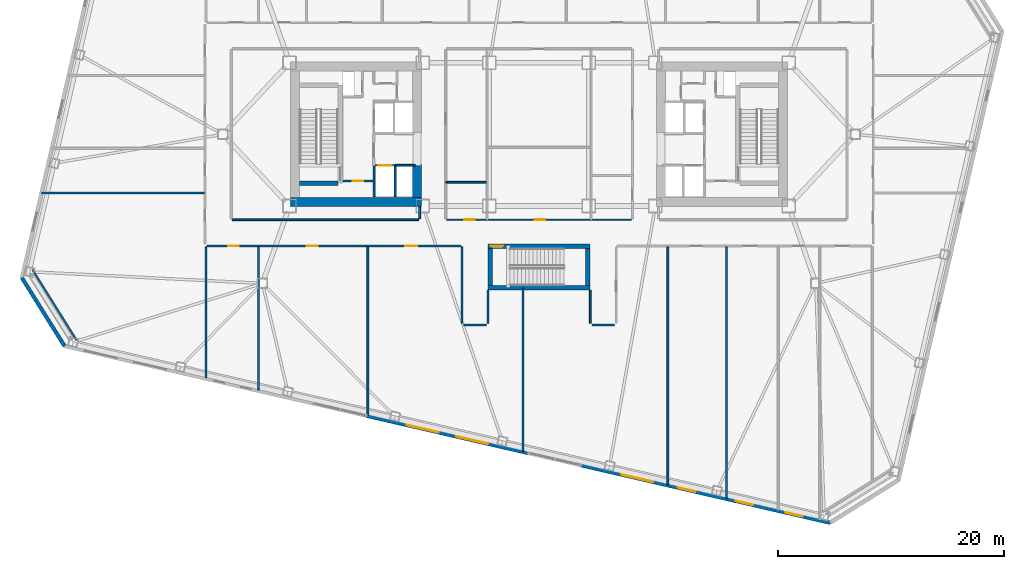
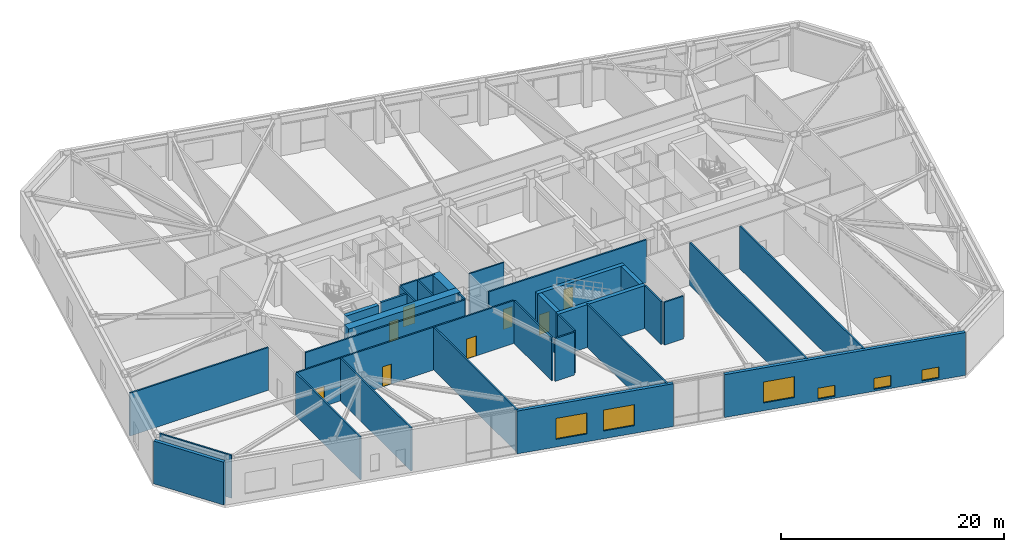
# One storey, part 10 of 21: 33 walls, 8 doors, 6 windows, 14 openings.
"""IFC4 building model written with IfcOpenShell, lengths in metres."""

from ifc_helpers import new_model, si_unit, direction, frame, frame_2d, origin, place, context, subcontext, project, spatial, rectangle, extrude, material, layer, layer_set, type_object, element, fill, save


model = new_model("IFC4")

# Units and contexts
model_context = context("Model", 3, precision=1e-05, world=origin(), true_north=direction((0.0, 1.0)))
body_context = subcontext(model_context, "Body", "Model", "MODEL_VIEW")
ifc_project = project(units=[si_unit("LENGTHUNIT", "METRE"), si_unit("AREAUNIT", "SQUARE_METRE"), si_unit("VOLUMEUNIT", "CUBIC_METRE"), si_unit("PLANEANGLEUNIT", "RADIAN"), si_unit("MASSUNIT", "GRAM", prefix="KILO")], contexts=[model_context])

# Site, building, storey
site_placement = place(None, origin())
site = spatial("IfcSite", under=ifc_project, at=site_placement, CompositionType="ELEMENT")
building_placement = place(site_placement, origin())
building = spatial("IfcBuilding", under=site, at=building_placement, Name="Tavrogorsk Clinical Tower", CompositionType="ELEMENT")
storey_placement = place(building_placement, frame((0.0, 0.0, 8.39990234375)))
storey = spatial("IfcBuildingStorey", under=building, at=storey_placement, Name="L01", CompositionType="ELEMENT", Elevation=8.39990234375)

# Wall, opening, door
ifc_material_1 = material(Name="Concrete B60", Category="concrete")
ifc_layer_1 = layer(ifc_material_1, 0.199951171875)
ifc_layer_set_1 = layer_set([ifc_layer_1], Name="Concrete B60")
wall_type_1 = type_object("IfcWallType", Name="CoreFireWall_200", PredefinedType="SOLIDWALL", material=ifc_layer_set_1)
wall_1_placement = place(storey_placement, frame((-17.3798828125, -4.139892578125, 0.0), z_axis=(0.0, 0.0, 1.0), x_axis=(1.0, 0.0, 0.0)))
wall_1 = element("IfcWall", 1, at=wall_1_placement, inside=storey, type_object=wall_type_1, Name="L01 Core West South Core Room Fire Wall", PredefinedType="SOLIDWALL", context=body_context, shape_type="SweptSolid", body=[
    extrude(rectangle(XDim=2.659912109375, YDim=0.199951171875, at=frame_2d((1.330078125, 0.0))), origin(), (0.0, 0.0, 1.0), 4.7001953125),
])
opening_1_placement = place(wall_1_placement, frame((0.8798828125, 0.0, 0.0)))
opening_1 = element("IfcOpeningElement", 2, at=opening_1_placement, cuts=wall_1, Name="Opening ID-02", PredefinedType="OPENING", context=body_context, shape_type="SweptSolid", body=[
    extrude(rectangle(XDim=0.949951171875, YDim=2.199951171875, at=frame_2d((0.47509765625, 1.10009765625))), frame((0.0, 0.10986328125, 0.0), z_axis=(0.0, -1.0, 0.0), x_axis=(1.0, 0.0, 0.0)), (0.0, 0.0, 1.0), 0.219970703125),
])
ifc_material_2 = material(Name="Laminated timber leaf on aluminium frame", Category="wood")
door_type_1 = type_object("IfcDoorType", Name="InteriorDoor_ID02_950", OperationType="NOTDEFINED", PredefinedType="DOOR", material=ifc_material_2)
door_1_placement = place(opening_1_placement, origin())
door_1 = element("IfcDoor", 3, at=door_1_placement, inside=storey, type_object=door_type_1, Name="L01 Core West South Core Room Door", OperationType="SINGLE_SWING_RIGHT", OverallHeight=2.199951171875, OverallWidth=0.949951171875, PredefinedType="DOOR", context=body_context, shape_type="SweptSolid", body=[
    extrude(rectangle(XDim=0.949951171875, YDim=2.199951171875, at=frame_2d((0.47509765625, 1.10009765625))), frame((0.0, 0.02490234375, 0.0), z_axis=(0.0, -1.0, 0.0), x_axis=(1.0, 0.0, 0.0)), (0.0, 0.0, 1.0), 0.050048828125),
])
fill(opening_1, door_1)

# Walls
ifc_material_3 = material(Name="Lightweight concrete blockwork B15", Category="masonry")
ifc_layer_2 = layer(ifc_material_3, 0.139892578125)
ifc_layer_set_2 = layer_set([ifc_layer_2], Name="Lightweight concrete blockwork B15")
wall_type_2 = type_object("IfcWallType", Name="PartitionWall_140", PredefinedType="PARTITIONING", material=ifc_layer_set_2)
wall_2_placement = place(storey_placement, frame((-8.264892578125, -4.25, 0.0), z_axis=(0.0, 0.0, 1.0), x_axis=(1.0, 0.0, 0.0)))
element("IfcWall", 4, at=wall_2_placement, inside=storey, type_object=wall_type_2, Name="L01 Central Spine Partition 4", PredefinedType="PARTITIONING", context=body_context, shape_type="SweptSolid", body=[
    extrude(rectangle(XDim=3.58984375, YDim=0.139892578125, at=frame_2d((1.794921875, 0.0))), origin(), (0.0, 0.0, 1.0), 4.7001953125),
])
ifc_material_4 = material(Name="Lightweight concrete blockwork B15", Category="masonry")
ifc_layer_3 = layer(ifc_material_4, 0.159912109375)
ifc_layer_set_3 = layer_set([ifc_layer_3], Name="Lightweight concrete blockwork B15")
wall_type_3 = type_object("IfcWallType", Name="PartitionWall_160", PredefinedType="PARTITIONING", material=ifc_layer_set_3)
wall_3_placement = place(storey_placement, frame((-44.85986328125, -11.9892578125, 0.0), z_axis=(0.0, 0.0, 1.0), x_axis=(0.52991239767, -0.848052386823, 0.0)))
element("IfcWall", 5, at=wall_3_placement, inside=storey, type_object=wall_type_3, Name="L01 Corner Exoskeleton Brace Furring Wall 4", PredefinedType="PARTITIONING", context=body_context, shape_type="SweptSolid", body=[
    extrude(rectangle(XDim=7.35400390625, YDim=0.159912109375, at=frame_2d((3.677001953125, 0.0))), origin(), (0.0, 0.0, 1.0), 4.7001953125),
])
wall_4_placement = place(storey_placement, frame((6.6650390625, -16.8798828125, 0.0), z_axis=(0.0, 0.0, 1.0), x_axis=(-1.0, 0.0, 0.0)))
element("IfcWall", 6, at=wall_4_placement, inside=storey, type_object=wall_type_3, Name="L01 Corridor Partition 06", PredefinedType="PARTITIONING", context=body_context, shape_type="SweptSolid", body=[
    extrude(rectangle(XDim=1.97998046875, YDim=0.159912109375, at=frame_2d((0.989990234375, 0.0))), origin(), (0.0, 0.0, 1.0), 4.7001953125),
])
for number, where, z_axis, x_axis, name in (
    (7, (4.52001953125, -16.715087890625, 0.0), (0.0, 0.0, 1.0), (0.0, 1.0, 0.0), "L01 Corridor Partition 07"),
    (8, (-4.52001953125, -13.800048828125, 0.0), (0.0, 0.0, 1.0), (0.0, -1.0, 0.0), "L01 Corridor Partition 08"),
):
    element("IfcWall", number, at=place(storey_placement, frame(where, z_axis=z_axis, x_axis=x_axis)), inside=storey, type_object=wall_type_3, Name=name, PredefinedType="PARTITIONING", context=body_context, shape_type="SweptSolid", body=[
        extrude(rectangle(XDim=2.9150390625, YDim=0.159912109375, at=frame_2d((1.45751953125, 0.0))), origin(), (0.0, 0.0, 1.0), 4.7001953125),
    ])
wall_5_placement = place(storey_placement, frame((-4.68505859375, -16.8798828125, 0.0), z_axis=(0.0, 0.0, 1.0), x_axis=(-1.0, 0.0, 0.0)))
element("IfcWall", 9, at=wall_5_placement, inside=storey, type_object=wall_type_3, Name="L01 Corridor Partition 09", PredefinedType="PARTITIONING", context=body_context, shape_type="SweptSolid", body=[
    extrude(rectangle(XDim=1.97998046875, YDim=0.159912109375, at=frame_2d((0.989990234375, 0.0))), origin(), (0.0, 0.0, 1.0), 4.7001953125),
])
wall_6_placement = place(storey_placement, frame((-6.830078125, -16.715087890625, 0.0), z_axis=(0.0, 0.0, 1.0), x_axis=(0.0, 1.0, 0.0)))
element("IfcWall", 10, at=wall_6_placement, inside=storey, type_object=wall_type_3, Name="L01 Corridor Partition 10", PredefinedType="PARTITIONING", context=body_context, shape_type="SweptSolid", body=[
    extrude(rectangle(XDim=6.75, YDim=0.159912109375, at=frame_2d((3.375, 0.0))), origin(), (0.0, 0.0, 1.0), 4.7001953125),
])

# Wall, openings, doors
wall_7_placement = place(storey_placement, frame((-6.9150390625, -9.8798828125, 0.0), z_axis=(0.0, 0.0, 1.0), x_axis=(-1.0, 0.0, 0.0)))
wall_7 = element("IfcWall", 11, at=wall_7_placement, inside=storey, type_object=wall_type_3, Name="L01 Corridor Partition 11", PredefinedType="PARTITIONING", context=body_context, shape_type="SweptSolid", body=[
    extrude(rectangle(XDim=22.5, YDim=0.159912109375, at=frame_2d((11.25, 0.0))), origin(), (0.0, 0.0, 1.0), 4.7001953125),
])
opening_2_placement = place(wall_7_placement, frame((19.67578125, 0.0, 0.0)))
opening_2 = element("IfcOpeningElement", 12, at=opening_2_placement, cuts=wall_7, Name="Opening ID-02", PredefinedType="OPENING", context=body_context, shape_type="SweptSolid", body=[
    extrude(rectangle(XDim=0.949951171875, YDim=2.199951171875, at=frame_2d((0.47509765625, 1.10009765625))), frame((0.0, 0.08984375, 0.0), z_axis=(0.0, -1.0, 0.0), x_axis=(1.0, 0.0, 0.0)), (0.0, 0.0, 1.0), 0.179931640625),
])
opening_3_placement = place(wall_7_placement, frame((12.699951171875, 0.0, 0.0)))
opening_3 = element("IfcOpeningElement", 13, at=opening_3_placement, cuts=wall_7, Name="Opening ID-02", PredefinedType="OPENING", context=body_context, shape_type="SweptSolid", body=[
    extrude(rectangle(XDim=0.949951171875, YDim=2.199951171875, at=frame_2d((0.47509765625, 1.10009765625))), frame((0.0, 0.08984375, 0.0), z_axis=(0.0, -1.0, 0.0), x_axis=(1.0, 0.0, 0.0)), (0.0, 0.0, 1.0), 0.179931640625),
])
opening_4_placement = place(wall_7_placement, frame((3.884033203125, 0.0, 0.0)))
opening_4 = element("IfcOpeningElement", 14, at=opening_4_placement, cuts=wall_7, Name="Opening ID-04", PredefinedType="OPENING", context=body_context, shape_type="SweptSolid", body=[
    extrude(rectangle(XDim=1.050048828125, YDim=2.199951171875, at=frame_2d((0.52490234375, 1.10009765625))), frame((0.0, 0.08984375, 0.0), z_axis=(0.0, -1.0, 0.0), x_axis=(1.0, 0.0, 0.0)), (0.0, 0.0, 1.0), 0.179931640625),
])
ifc_material_5 = material(Name="Antibacterial HPL consultation door on aluminium frame", Category="aluminium")
door_type_2 = type_object("IfcDoorType", Name="ConsultDoor_ID04_1050", OperationType="NOTDEFINED", PredefinedType="DOOR", material=ifc_material_5)
door_2_placement = place(opening_4_placement, origin())
door_2 = element("IfcDoor", 15, at=door_2_placement, inside=storey, type_object=door_type_2, Name="L01 South Patient Imaging Waiting Lounge 03A Door", OperationType="SINGLE_SWING_RIGHT", OverallHeight=2.199951171875, OverallWidth=1.050048828125, PredefinedType="DOOR", context=body_context, shape_type="SweptSolid", body=[
    extrude(rectangle(XDim=1.050048828125, YDim=2.199951171875, at=frame_2d((0.52490234375, 1.10009765625))), frame((0.0, 0.02490234375, 0.0), z_axis=(0.0, -1.0, 0.0), x_axis=(1.0, 0.0, 0.0)), (0.0, 0.0, 1.0), 0.050048828125),
])
fill(opening_4, door_2)
door_3_placement = place(opening_2_placement, origin())
door_3 = element("IfcDoor", 16, at=door_3_placement, inside=storey, type_object=door_type_1, Name="L01 South Clinical Case Seminar Room 01 Door", OperationType="SINGLE_SWING_RIGHT", OverallHeight=2.199951171875, OverallWidth=0.949951171875, PredefinedType="DOOR", context=body_context, shape_type="SweptSolid", body=[
    extrude(rectangle(XDim=0.949951171875, YDim=2.199951171875, at=frame_2d((0.47509765625, 1.10009765625))), frame((0.0, 0.02490234375, 0.0), z_axis=(0.0, -1.0, 0.0), x_axis=(1.0, 0.0, 0.0)), (0.0, 0.0, 1.0), 0.050048828125),
])
fill(opening_2, door_3)
door_4_placement = place(opening_3_placement, origin())
door_4 = element("IfcDoor", 17, at=door_4_placement, inside=storey, type_object=door_type_1, Name="L01 South Interventional Radiology Suite 02 Door", OperationType="SINGLE_SWING_LEFT", OverallHeight=2.199951171875, OverallWidth=0.949951171875, PredefinedType="DOOR", context=body_context, shape_type="SweptSolid", body=[
    extrude(rectangle(XDim=0.949951171875, YDim=2.199951171875, at=frame_2d((0.47509765625, 1.10009765625))), frame((0.0, 0.02490234375, 0.0), z_axis=(0.0, -1.0, 0.0), x_axis=(1.0, 0.0, 0.0)), (0.0, 0.0, 1.0), 0.050048828125),
])
fill(opening_3, door_4)

wall_8_placement = place(storey_placement, frame((-8.18505859375, -7.570068359375, 0.0), z_axis=(0.0, 0.0, 1.0), x_axis=(1.0, 0.0, 0.0)))
wall_8 = element("IfcWall", 18, at=wall_8_placement, inside=storey, type_object=wall_type_3, Name="L01 Corridor Partition 19", PredefinedType="PARTITIONING", context=body_context, shape_type="SweptSolid", body=[
    extrude(rectangle(XDim=16.3701171875, YDim=0.159912109375, at=frame_2d((8.18505859375, 0.0))), origin(), (0.0, 0.0, 1.0), 4.7001953125),
])
opening_5_placement = place(wall_8_placement, frame((1.55419921875, 0.0, 0.0)))
opening_5 = element("IfcOpeningElement", 19, at=opening_5_placement, cuts=wall_8, Name="Opening ID-02", PredefinedType="OPENING", context=body_context, shape_type="SweptSolid", body=[
    extrude(rectangle(XDim=0.949951171875, YDim=2.199951171875, at=frame_2d((0.47509765625, 1.10009765625))), frame((0.0, 0.08984375, 0.0), z_axis=(0.0, -1.0, 0.0), x_axis=(1.0, 0.0, 0.0)), (0.0, 0.0, 1.0), 0.179931640625),
])
opening_6_placement = place(wall_8_placement, frame((7.794921875, 0.0, 0.0)))
opening_6 = element("IfcOpeningElement", 20, at=opening_6_placement, cuts=wall_8, Name="Opening ID-02", PredefinedType="OPENING", context=body_context, shape_type="SweptSolid", body=[
    extrude(rectangle(XDim=0.949951171875, YDim=2.199951171875, at=frame_2d((0.47509765625, 1.10009765625))), frame((0.0, 0.08984375, 0.0), z_axis=(0.0, -1.0, 0.0), x_axis=(1.0, 0.0, 0.0)), (0.0, 0.0, 1.0), 0.179931640625),
])
door_5_placement = place(opening_5_placement, origin())
door_5 = element("IfcDoor", 21, at=door_5_placement, inside=storey, type_object=door_type_1, Name="L01 Accessible Patient Lavatory Door", OperationType="SINGLE_SWING_RIGHT", OverallHeight=2.199951171875, OverallWidth=0.949951171875, PredefinedType="DOOR", context=body_context, shape_type="SweptSolid", body=[
    extrude(rectangle(XDim=0.949951171875, YDim=2.199951171875, at=frame_2d((0.47509765625, 1.10009765625))), frame((0.0, 0.02490234375, 0.0), z_axis=(0.0, -1.0, 0.0), x_axis=(1.0, 0.0, 0.0)), (0.0, 0.0, 1.0), 0.050048828125),
])
fill(opening_5, door_5)
door_6_placement = place(opening_6_placement, origin())
door_6 = element("IfcDoor", 22, at=door_6_placement, inside=storey, type_object=door_type_1, Name="L01 Multidisciplinary Conference Room Door", OperationType="SINGLE_SWING_RIGHT", OverallHeight=2.199951171875, OverallWidth=0.949951171875, PredefinedType="DOOR", context=body_context, shape_type="SweptSolid", body=[
    extrude(rectangle(XDim=0.949951171875, YDim=2.199951171875, at=frame_2d((0.47509765625, 1.10009765625))), frame((0.0, 0.02490234375, 0.0), z_axis=(0.0, -1.0, 0.0), x_axis=(1.0, 0.0, 0.0)), (0.0, 0.0, 1.0), 0.050048828125),
])
fill(opening_6, door_6)

# Walls
wall_9_placement = place(storey_placement, frame((-10.580078125, -7.485107421875, 0.0), z_axis=(0.0, 0.0, 1.0), x_axis=(0.0, 1.0, 0.0)))
element("IfcWall", 23, at=wall_9_placement, inside=storey, type_object=wall_type_3, Name="L01 Corridor Partition 21", PredefinedType="PARTITIONING", context=body_context, shape_type="SweptSolid", body=[
    extrude(rectangle(XDim=1.065185546875, YDim=0.159912109375, at=frame_2d((0.53271484375, 0.0))), origin(), (0.0, 0.0, 1.0), 4.7001953125),
])
wall_10_placement = place(storey_placement, frame((-27.18505859375, -7.570068359375, 0.0), z_axis=(0.0, 0.0, 1.0), x_axis=(1.0, 0.0, 0.0)))
element("IfcWall", 24, at=wall_10_placement, inside=storey, type_object=wall_type_3, Name="L01 Corridor Partition 25", PredefinedType="PARTITIONING", context=body_context, shape_type="SweptSolid", body=[
    extrude(rectangle(XDim=16.52001953125, YDim=0.159912109375, at=frame_2d((8.260009765625, 0.0))), origin(), (0.0, 0.0, 1.0), 4.7001953125),
])
wall_11_placement = place(storey_placement, frame((-29.5, -21.570556640625, 0.0), z_axis=(0.0, 0.0, 1.0), x_axis=(0.0, 1.0, 0.0)))
element("IfcWall", 25, at=wall_11_placement, inside=storey, type_object=wall_type_3, Name="L01 SW Wing Closure Partition", PredefinedType="PARTITIONING", context=body_context, shape_type="SweptSolid", body=[
    extrude(rectangle(XDim=11.60546875, YDim=0.159912109375, at=frame_2d((5.802734375, 0.0))), origin(), (0.0, 0.0, 1.0), 4.7001953125),
])
wall_12_placement = place(storey_placement, frame((-24.85009765625, -22.64404296875, 0.0), z_axis=(0.0, 0.0, 1.0), x_axis=(0.0, 1.0, 0.0)))
element("IfcWall", 26, at=wall_12_placement, inside=storey, type_object=wall_type_3, Name="L01 South Room Partition 1", PredefinedType="PARTITIONING", context=body_context, shape_type="SweptSolid", body=[
    extrude(rectangle(XDim=12.678955078125, YDim=0.159912109375, at=frame_2d((6.33935546875, 0.0))), origin(), (0.0, 0.0, 1.0), 4.7001953125),
])
wall_13_placement = place(storey_placement, frame((-15.159912109375, -24.881103515625, 0.0), z_axis=(0.0, 0.0, 1.0), x_axis=(0.0, 1.0, 0.0)))
element("IfcWall", 27, at=wall_13_placement, inside=storey, type_object=wall_type_3, Name="L01 South Room Partition 2", PredefinedType="PARTITIONING", context=body_context, shape_type="SweptSolid", body=[
    extrude(rectangle(XDim=14.916015625, YDim=0.159912109375, at=frame_2d((7.4580078125, 0.0))), origin(), (0.0, 0.0, 1.0), 4.7001953125),
])
wall_14_placement = place(storey_placement, frame((11.39990234375, -31.01318359375, 0.0), z_axis=(0.0, 0.0, 1.0), x_axis=(0.0, 1.0, 0.0)))
element("IfcWall", 28, at=wall_14_placement, inside=storey, type_object=wall_type_3, Name="L01 South Room Partition 3", PredefinedType="PARTITIONING", context=body_context, shape_type="SweptSolid", body=[
    extrude(rectangle(XDim=21.048095703125, YDim=0.159912109375, at=frame_2d((10.52392578125, 0.0))), origin(), (0.0, 0.0, 1.0), 4.7001953125),
])
wall_15_placement = place(storey_placement, frame((16.60009765625, -32.213623046875, 0.0), z_axis=(0.0, 0.0, 1.0), x_axis=(0.0, 1.0, 0.0)))
element("IfcWall", 29, at=wall_15_placement, inside=storey, type_object=wall_type_3, Name="L01 South Room Partition 4", PredefinedType="PARTITIONING", context=body_context, shape_type="SweptSolid", body=[
    extrude(rectangle(XDim=22.24853515625, YDim=0.159912109375, at=frame_2d((11.124267578125, 0.0))), origin(), (0.0, 0.0, 1.0), 4.7001953125),
])
wall_16_placement = place(storey_placement, frame((-1.429931640625, -28.051025390625, 0.0), z_axis=(0.0, 0.0, 1.0), x_axis=(0.0, 1.0, 0.0)))
element("IfcWall", 30, at=wall_16_placement, inside=storey, type_object=wall_type_3, Name="L01 South Sub-Partition 3", PredefinedType="PARTITIONING", context=body_context, shape_type="SweptSolid", body=[
    extrude(rectangle(XDim=14.4111328125, YDim=0.159912109375, at=frame_2d((7.20556640625, 0.0))), origin(), (0.0, 0.0, 1.0), 4.7001953125),
])
wall_17_placement = place(storey_placement, frame((-44.0419921875, -5.199951171875, 0.0), z_axis=(0.0, 0.0, 1.0), x_axis=(1.0, 0.0, 0.0)))
element("IfcWall", 31, at=wall_17_placement, inside=storey, type_object=wall_type_3, Name="L01 W Wing Divider 1", PredefinedType="PARTITIONING", context=body_context, shape_type="SweptSolid", body=[
    extrude(rectangle(XDim=14.376953125, YDim=0.159912109375, at=frame_2d((7.1884765625, 0.0))), origin(), (0.0, 0.0, 1.0), 4.7001953125),
])

# Wall, openings, windows
ifc_material_6 = material(Name="Precast concrete B45 with limestone cladding", Category="masonry")
ifc_layer_4 = layer(ifc_material_6, 0.340087890625)
ifc_layer_set_4 = layer_set([ifc_layer_4], Name="Precast concrete B45 with limestone cladding")
wall_type_4 = type_object("IfcWallType", Name="PrecastLimestoneWall_340", PredefinedType="STANDARD", material=ifc_layer_set_4)
wall_18_placement = place(storey_placement, frame((-15.28076171875, -24.925048828125, 0.0), z_axis=(0.0, 0.0, 1.0), x_axis=(0.974370193991, -0.22495049469, 0.0)))
wall_18 = element("IfcWall", 32, at=wall_18_placement, inside=storey, type_object=wall_type_4, Name="L01 S Limestone Facade Wall 2", PredefinedType="STANDARD", context=body_context, shape_type="SweptSolid", body=[
    extrude(rectangle(XDim=14.697265625, YDim=0.340087890625, at=frame_2d((7.3486328125, 0.0))), origin(), (0.0, 0.0, 1.0), 4.7001953125),
])
opening_7_placement = place(wall_18_placement, frame((3.656494140625, 0.0, 0.85009765625)))
opening_7 = element("IfcOpeningElement", 33, at=opening_7_placement, cuts=wall_18, Name="Opening WN-10", PredefinedType="OPENING", context=body_context, shape_type="SweptSolid", body=[
    extrude(rectangle(XDim=2.89990234375, YDim=2.300048828125, at=frame_2d((1.449951171875, 1.14990234375))), frame((0.0, 0.179931640625, 0.0), z_axis=(0.0, -1.0, 0.0), x_axis=(1.0, 0.0, 0.0)), (0.0, 0.0, 1.0), 0.360107421875),
])
opening_8_placement = place(wall_18_placement, frame((8.140869140625, 0.0, 0.85009765625)))
opening_8 = element("IfcOpeningElement", 34, at=opening_8_placement, cuts=wall_18, Name="Opening WN-10", PredefinedType="OPENING", context=body_context, shape_type="SweptSolid", body=[
    extrude(rectangle(XDim=2.89990234375, YDim=2.300048828125, at=frame_2d((1.449951171875, 1.14990234375))), frame((0.0, 0.179931640625, 0.0), z_axis=(0.0, -1.0, 0.0), x_axis=(1.0, 0.0, 0.0)), (0.0, 0.0, 1.0), 0.360107421875),
])
ifc_material_7 = material(Name="Thermally broken aluminium frame and triple IGU", Category="aluminium")
window_type_1 = type_object("IfcWindowType", Name="DiagnosticWin_2900x2300", PartitioningType="TRIPLE_PANEL_HORIZONTAL", PredefinedType="WINDOW", material=ifc_material_7)
window_1_placement = place(opening_7_placement, origin())
window_1 = element("IfcWindow", 35, at=window_1_placement, inside=storey, type_object=window_type_1, Name="L01 S Chicago Window 05", OverallHeight=2.300048828125, OverallWidth=2.89990234375, PartitioningType="SINGLE_PANEL", PredefinedType="WINDOW", context=body_context, shape_type="SweptSolid", body=[
    extrude(rectangle(XDim=2.89990234375, YDim=2.300048828125, at=frame_2d((1.449951171875, 1.14990234375))), frame((0.0, 0.030029296875, 0.0), z_axis=(0.0, -1.0, 0.0), x_axis=(1.0, 0.0, 0.0)), (0.0, 0.0, 1.0), 0.06005859375),
])
fill(opening_7, window_1)
window_2_placement = place(opening_8_placement, origin())
window_2 = element("IfcWindow", 36, at=window_2_placement, inside=storey, type_object=window_type_1, Name="L01 S Chicago Window 06", OverallHeight=2.300048828125, OverallWidth=2.89990234375, PartitioningType="SINGLE_PANEL", PredefinedType="WINDOW", context=body_context, shape_type="SweptSolid", body=[
    extrude(rectangle(XDim=2.89990234375, YDim=2.300048828125, at=frame_2d((1.449951171875, 1.14990234375))), frame((0.0, 0.030029296875, 0.0), z_axis=(0.0, -1.0, 0.0), x_axis=(1.0, 0.0, 0.0)), (0.0, 0.0, 1.0), 0.06005859375),
])
fill(opening_8, window_2)

wall_19_placement = place(storey_placement, frame((3.716796875, -29.31103515625, 0.0), z_axis=(0.0, 0.0, 1.0), x_axis=(0.97436993772, -0.224951604723, 0.0)))
wall_19 = element("IfcWall", 37, at=wall_19_placement, inside=storey, type_object=wall_type_4, Name="L01 S Limestone Facade Wall 3", PredefinedType="STANDARD", context=body_context, shape_type="SweptSolid", body=[
    extrude(rectangle(XDim=22.6513671875, YDim=0.340087890625, at=frame_2d((11.32568359375, 0.0))), origin(), (0.0, 0.0, 1.0), 4.7001953125),
])
opening_9_placement = place(wall_19_placement, frame((3.656494140625, 0.0, 0.85009765625)))
opening_9 = element("IfcOpeningElement", 38, at=opening_9_placement, cuts=wall_19, Name="Opening WN-10", PredefinedType="OPENING", context=body_context, shape_type="SweptSolid", body=[
    extrude(rectangle(XDim=2.89990234375, YDim=2.300048828125, at=frame_2d((1.449951171875, 1.14990234375))), frame((0.0, 0.179931640625, 0.0), z_axis=(0.0, -1.0, 0.0), x_axis=(1.0, 0.0, 0.0)), (0.0, 0.0, 1.0), 0.360107421875),
])
opening_10_placement = place(wall_19_placement, frame((8.790771484375, 0.0, 0.219970703125)))
opening_10 = element("IfcOpeningElement", 39, at=opening_10_placement, cuts=wall_19, Name="Opening WN-09", PredefinedType="OPENING", context=body_context, shape_type="SweptSolid", body=[
    extrude(rectangle(XDim=1.60009765625, YDim=1.199951171875, at=frame_2d((0.800048828125, 0.60009765625))), frame((0.0, 0.179931640625, 0.0), z_axis=(0.0, -1.0, 0.0), x_axis=(1.0, 0.0, 0.0)), (0.0, 0.0, 1.0), 0.360107421875),
])
opening_11_placement = place(wall_19_placement, frame((14.054931640625, 0.0, 0.219970703125)))
opening_11 = element("IfcOpeningElement", 40, at=opening_11_placement, cuts=wall_19, Name="Opening WN-09", PredefinedType="OPENING", context=body_context, shape_type="SweptSolid", body=[
    extrude(rectangle(XDim=1.60009765625, YDim=1.199951171875, at=frame_2d((0.800048828125, 0.60009765625))), frame((0.0, 0.179931640625, 0.0), z_axis=(0.0, -1.0, 0.0), x_axis=(1.0, 0.0, 0.0)), (0.0, 0.0, 1.0), 0.360107421875),
])
opening_12_placement = place(wall_19_placement, frame((18.539306640625, 0.0, 0.219970703125)))
opening_12 = element("IfcOpeningElement", 41, at=opening_12_placement, cuts=wall_19, Name="Opening WN-09", PredefinedType="OPENING", context=body_context, shape_type="SweptSolid", body=[
    extrude(rectangle(XDim=1.60009765625, YDim=1.199951171875, at=frame_2d((0.800048828125, 0.60009765625))), frame((0.0, 0.179931640625, 0.0), z_axis=(0.0, -1.0, 0.0), x_axis=(1.0, 0.0, 0.0)), (0.0, 0.0, 1.0), 0.360107421875),
])
window_3_placement = place(opening_9_placement, origin())
window_3 = element("IfcWindow", 42, at=window_3_placement, inside=storey, type_object=window_type_1, Name="L01 S Chicago Window 07", OverallHeight=2.300048828125, OverallWidth=2.89990234375, PartitioningType="SINGLE_PANEL", PredefinedType="WINDOW", context=body_context, shape_type="SweptSolid", body=[
    extrude(rectangle(XDim=2.89990234375, YDim=2.300048828125, at=frame_2d((1.449951171875, 1.14990234375))), frame((0.0, 0.030029296875, 0.0), z_axis=(0.0, -1.0, 0.0), x_axis=(1.0, 0.0, 0.0)), (0.0, 0.0, 1.0), 0.06005859375),
])
fill(opening_9, window_3)
ifc_material_8 = material(Name="Thermally broken aluminium frame and triple IGU", Category="aluminium")
window_type_2 = type_object("IfcWindowType", Name="LowHeadTransWin_1600x1200", PartitioningType="DOUBLE_PANEL_VERTICAL", PredefinedType="WINDOW", material=ifc_material_8)
window_4_placement = place(opening_10_placement, origin())
window_4 = element("IfcWindow", 43, at=window_4_placement, inside=storey, type_object=window_type_2, Name="L01 S Chicago Window 08", OverallHeight=1.199951171875, OverallWidth=1.60009765625, PartitioningType="SINGLE_PANEL", PredefinedType="WINDOW", context=body_context, shape_type="SweptSolid", body=[
    extrude(rectangle(XDim=1.60009765625, YDim=1.199951171875, at=frame_2d((0.800048828125, 0.60009765625))), frame((0.0, 0.030029296875, 0.0), z_axis=(0.0, -1.0, 0.0), x_axis=(1.0, 0.0, 0.0)), (0.0, 0.0, 1.0), 0.06005859375),
])
fill(opening_10, window_4)
window_5_placement = place(opening_11_placement, origin())
window_5 = element("IfcWindow", 44, at=window_5_placement, inside=storey, type_object=window_type_2, Name="L01 S Chicago Window 09", OverallHeight=1.199951171875, OverallWidth=1.60009765625, PartitioningType="SINGLE_PANEL", PredefinedType="WINDOW", context=body_context, shape_type="SweptSolid", body=[
    extrude(rectangle(XDim=1.60009765625, YDim=1.199951171875, at=frame_2d((0.800048828125, 0.60009765625))), frame((0.0, 0.030029296875, 0.0), z_axis=(0.0, -1.0, 0.0), x_axis=(1.0, 0.0, 0.0)), (0.0, 0.0, 1.0), 0.06005859375),
])
fill(opening_11, window_5)
window_6_placement = place(opening_12_placement, origin())
window_6 = element("IfcWindow", 45, at=window_6_placement, inside=storey, type_object=window_type_2, Name="L01 S Chicago Window 10", OverallHeight=1.199951171875, OverallWidth=1.60009765625, PartitioningType="SINGLE_PANEL", PredefinedType="WINDOW", context=body_context, shape_type="SweptSolid", body=[
    extrude(rectangle(XDim=1.60009765625, YDim=1.199951171875, at=frame_2d((0.800048828125, 0.60009765625))), frame((0.0, 0.030029296875, 0.0), z_axis=(0.0, -1.0, 0.0), x_axis=(1.0, 0.0, 0.0)), (0.0, 0.0, 1.0), 0.06005859375),
])
fill(opening_12, window_6)

# Wall
wall_20_placement = place(storey_placement, frame((-45.798095703125, -12.71728515625, 0.0), z_axis=(0.0, 0.0, 1.0), x_axis=(0.529906387556, -0.848056142261, 0.0)))
element("IfcWall", 46, at=wall_20_placement, inside=storey, type_object=wall_type_4, Name="L01 Chamfered Corner Wall 4", PredefinedType="STANDARD", context=body_context, shape_type="SweptSolid", body=[
    extrude(rectangle(XDim=7.113525390625, YDim=0.340087890625, at=frame_2d((3.556640625, 0.0))), origin(), (0.0, 0.0, 1.0), 4.7001953125),
])

# Wall, opening, door
ifc_material_9 = material(Name="Lightweight concrete blockwork B25", Category="masonry")
ifc_layer_5 = layer(ifc_material_9, 0.159912109375)
ifc_layer_set_5 = layer_set([ifc_layer_5], Name="Lightweight concrete blockwork B25")
wall_type_5 = type_object("IfcWallType", Name="ShaftWall_160", PredefinedType="PARTITIONING", material=ifc_layer_set_5)
wall_21_placement = place(storey_placement, frame((-14.530029296875, -2.75, 0.0), z_axis=(0.0, 0.0, 1.0), x_axis=(1.0, 0.0, 0.0)))
wall_21 = element("IfcWall", 47, at=wall_21_placement, inside=storey, type_object=wall_type_5, Name="L01 LP-L1 Lift Shaft Portal Wall", PredefinedType="PARTITIONING", context=body_context, shape_type="SweptSolid", body=[
    extrude(rectangle(XDim=1.760009765625, YDim=0.159912109375, at=frame_2d((0.8798828125, 0.0))), origin(), (0.0, 0.0, 1.0), 4.7001953125),
])
opening_13_placement = place(wall_21_placement, frame((0.280029296875, 0.0, 0.0)))
opening_13 = element("IfcOpeningElement", 48, at=opening_13_placement, cuts=wall_21, Name="Opening LD", PredefinedType="OPENING", context=body_context, shape_type="SweptSolid", body=[
    extrude(rectangle(XDim=1.199951171875, YDim=2.199951171875, at=frame_2d((0.60009765625, 1.10009765625))), frame((0.0, 0.08984375, 0.0), z_axis=(0.0, -1.0, 0.0), x_axis=(1.0, 0.0, 0.0)), (0.0, 0.0, 1.0), 0.179931640625),
])
ifc_material_10 = material(Name="Brushed stainless steel AISI 304 sliding doors", Category="steel")
door_type_3 = type_object("IfcDoorType", Name="LiftLandingDoor_LD_1200", OperationType="SLIDING_TO_LEFT", PredefinedType="DOOR", material=ifc_material_10)
door_7_placement = place(opening_13_placement, origin())
door_7 = element("IfcDoor", 49, at=door_7_placement, inside=storey, type_object=door_type_3, Name="L01 LP-L1 Sliding Lift Landing Door", OperationType="SLIDING_TO_LEFT", OverallHeight=2.199951171875, OverallWidth=1.199951171875, PredefinedType="DOOR", context=body_context, shape_type="SweptSolid", body=[
    extrude(rectangle(XDim=1.199951171875, YDim=2.199951171875, at=frame_2d((0.60009765625, 1.10009765625))), frame((0.0, 0.02490234375, 0.0), z_axis=(0.0, -1.0, 0.0), x_axis=(1.0, 0.0, 0.0)), (0.0, 0.0, 1.0), 0.050048828125),
])
fill(opening_13, door_7)

# Walls
for number, where, z_axis, x_axis, name in (
    (50, (-12.75, -5.5400390625, 0.0), (0.0, 0.0, 1.0), (0.0, 1.0, 0.0), "L01 LP-L1 Lift Hoistway Divider Wall"),
    (51, (-14.610107421875, -5.5400390625, 0.0), (0.0, 0.0, 1.0), (0.0, 1.0, 0.0), "L01 LP-L1 Lift Hoistway Outer Cheek Wall"),
):
    element("IfcWall", number, at=place(storey_placement, frame(where, z_axis=z_axis, x_axis=x_axis)), inside=storey, type_object=wall_type_5, Name=name, PredefinedType="PARTITIONING", context=body_context, shape_type="SweptSolid", body=[
        extrude(rectangle(XDim=2.699951171875, YDim=0.159912109375, at=frame_2d((1.35009765625, 0.0))), origin(), (0.0, 0.0, 1.0), 4.7001953125),
    ])
wall_22_placement = place(storey_placement, frame((-12.72998046875, -2.75, 0.0), z_axis=(0.0, 0.0, 1.0), x_axis=(1.0, 0.0, 0.0)))
element("IfcWall", 52, at=wall_22_placement, inside=storey, type_object=wall_type_5, Name="L01 LP-M1 Lift Shaft Portal Wall", PredefinedType="PARTITIONING", context=body_context, shape_type="SweptSolid", body=[
    extrude(rectangle(XDim=1.760009765625, YDim=0.159912109375, at=frame_2d((0.8798828125, 0.0))), origin(), (0.0, 0.0, 1.0), 4.7001953125),
])
ifc_material_11 = material(Name="Concrete B80", Category="concrete")
ifc_layer_6 = layer(ifc_material_11, 0.39990234375)
ifc_layer_set_6 = layer_set([ifc_layer_6], Name="Concrete B80")
wall_type_6 = type_object("IfcWallType", Name="ShearWall_400", PredefinedType="SHEAR", material=ifc_layer_set_6)
wall_23_placement = place(storey_placement, frame((-21.199951171875, -4.324951171875, 0.0), z_axis=(0.0, 0.0, 1.0), x_axis=(1.0, 0.0, 0.0)))
element("IfcWall", 53, at=wall_23_placement, inside=storey, type_object=wall_type_6, Name="L01 Core West Stair Shaft South Shear Wall", PredefinedType="SHEAR", context=body_context, shape_type="SweptSolid", body=[
    extrude(rectangle(XDim=3.39990234375, YDim=0.39990234375, at=frame_2d((1.699951171875, 0.0))), origin(), (0.0, 0.0, 1.0), 4.7001953125),
])
wall_24_placement = place(storey_placement, frame((-4.52490234375, -13.60009765625, 0.0), z_axis=(0.0, 0.0, 1.0), x_axis=(1.0, 0.0, 0.0)))
element("IfcWall", 54, at=wall_24_placement, inside=storey, type_object=wall_type_6, Name="L01 Podium Stair South Shaft Wall", PredefinedType="SHEAR", context=body_context, shape_type="SweptSolid", body=[
    extrude(rectangle(XDim=9.0498046875, YDim=0.39990234375, at=frame_2d((4.52490234375, 0.0))), origin(), (0.0, 0.0, 1.0), 4.7001953125),
])

# Wall, opening, door
wall_25_placement = place(storey_placement, frame((-4.52490234375, -9.89990234375, 0.0), z_axis=(0.0, 0.0, 1.0), x_axis=(1.0, 0.0, 0.0)))
wall_25 = element("IfcWall", 55, at=wall_25_placement, inside=storey, type_object=wall_type_6, Name="L01 Podium Stair North Shaft Wall", PredefinedType="SHEAR", context=body_context, shape_type="SweptSolid", body=[
    extrude(rectangle(XDim=9.0498046875, YDim=0.39990234375, at=frame_2d((4.52490234375, 0.0))), origin(), (0.0, 0.0, 1.0), 4.7001953125),
])
opening_14_placement = place(wall_25_placement, frame((0.25, 0.0, 0.0)))
opening_14 = element("IfcOpeningElement", 56, at=opening_14_placement, cuts=wall_25, Name="Opening SD-01", PredefinedType="OPENING", context=body_context, shape_type="SweptSolid", body=[
    extrude(rectangle(XDim=1.10009765625, YDim=2.199951171875, at=frame_2d((0.550048828125, 1.10009765625))), frame((0.0, 0.2099609375, 0.0), z_axis=(0.0, -1.0, 0.0), x_axis=(1.0, 0.0, 0.0)), (0.0, 0.0, 1.0), 0.419921875),
])
ifc_material_12 = material(Name="Galvanised steel smoke-tight fire door assembly", Category="steel")
door_type_4 = type_object("IfcDoorType", Name="StairFireDoor_SD01_1100", OperationType="NOTDEFINED", PredefinedType="DOOR", material=ifc_material_12)
door_8_placement = place(opening_14_placement, origin())
door_8 = element("IfcDoor", 57, at=door_8_placement, inside=storey, type_object=door_type_4, Name="L01 ST-P Podium Stair Door", OperationType="SINGLE_SWING_RIGHT", OverallHeight=2.199951171875, OverallWidth=1.10009765625, PredefinedType="DOOR", context=body_context, shape_type="SweptSolid", body=[
    extrude(rectangle(XDim=1.10009765625, YDim=2.199951171875, at=frame_2d((0.550048828125, 1.10009765625))), frame((0.0, 0.02490234375, 0.0), z_axis=(0.0, -1.0, 0.0), x_axis=(1.0, 0.0, 0.0)), (0.0, 0.0, 1.0), 0.050048828125),
])
fill(opening_14, door_8)

# Walls
for number, where, z_axis, x_axis, name in (
    (58, (-4.324951171875, -13.39990234375, 0.0), (0.0, 0.0, 1.0), (0.0, 1.0, 0.0), "L01 Podium Stair West Shaft Wall"),
    (59, (4.324951171875, -13.39990234375, 0.0), (0.0, 0.0, 1.0), (0.0, 1.0, 0.0), "L01 Podium Stair East Shaft Wall"),
):
    element("IfcWall", number, at=place(storey_placement, frame(where, z_axis=z_axis, x_axis=x_axis)), inside=storey, type_object=wall_type_6, Name=name, PredefinedType="SHEAR", context=body_context, shape_type="SweptSolid", body=[
        extrude(rectangle(XDim=3.2998046875, YDim=0.39990234375, at=frame_2d((1.64990234375, 0.0))), origin(), (0.0, 0.0, 1.0), 4.7001953125),
    ])
ifc_material_13 = material(Name="Concrete B80", Category="concrete")
ifc_layer_7 = layer(ifc_material_13, 0.800048828125)
ifc_layer_set_7 = layer_set([ifc_layer_7], Name="Concrete B80")
wall_type_7 = type_object("IfcWallType", Name="ShearWall_800", PredefinedType="SHEAR", material=ifc_layer_set_7)
wall_26_placement = place(storey_placement, frame((-22.0, -6.0, 0.0), z_axis=(0.0, 0.0, 1.0), x_axis=(1.0, 0.0, 0.0)))
element("IfcWall", 60, at=wall_26_placement, inside=storey, type_object=wall_type_7, Name="L01 Core West South Shear Wall", PredefinedType="SHEAR", context=body_context, shape_type="SweptSolid", body=[
    extrude(rectangle(XDim=11.60009765625, YDim=0.800048828125, at=frame_2d((5.800048828125, 0.0))), origin(), (0.0, 0.0, 1.0), 4.7001953125),
])
wall_27_placement = place(storey_placement, frame((-10.800048828125, -5.60009765625, 0.0), z_axis=(0.0, 0.0, 1.0), x_axis=(0.0, 1.0, 0.0)))
element("IfcWall", 61, at=wall_27_placement, inside=storey, type_object=wall_type_7, Name="L01 Core West Inner South Pier", PredefinedType="SHEAR", context=body_context, shape_type="SweptSolid", body=[
    extrude(rectangle(XDim=2.9501953125, YDim=0.800048828125, at=frame_2d((1.47509765625, 0.0))), origin(), (0.0, 0.0, 1.0), 4.7001953125),
])

save(model, "model.ifc")
